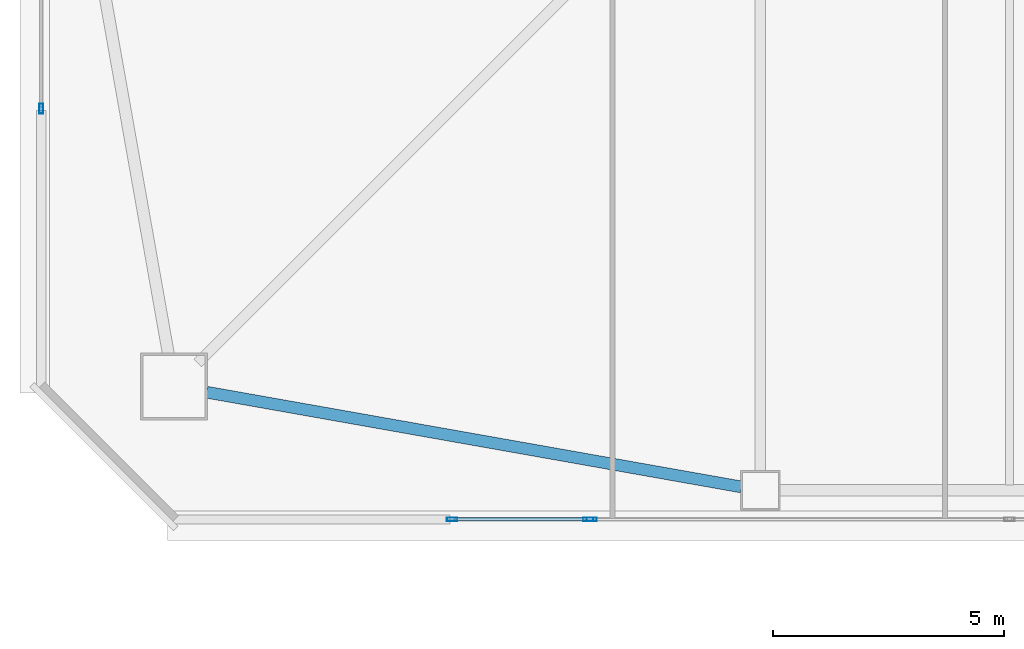
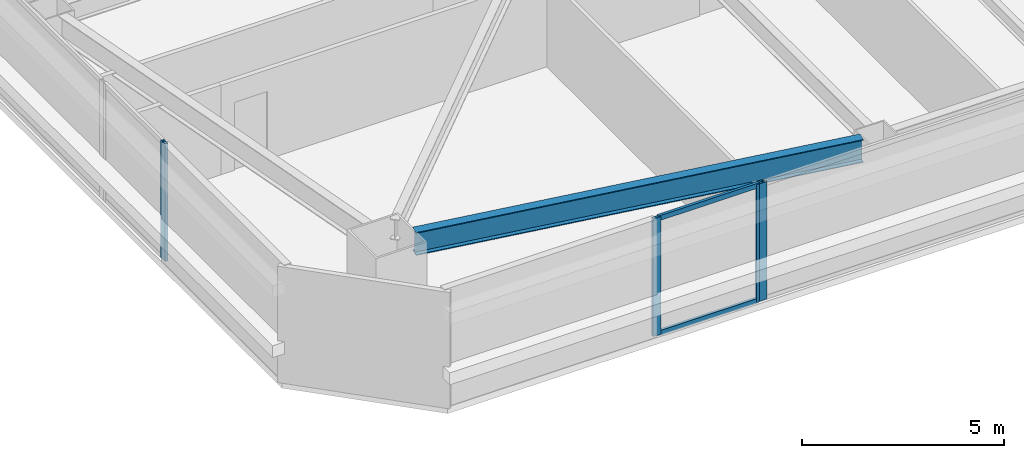
# One storey, part 3 of 44: 6 members, 1 beam, 3 elements without a shape of their own.
"""IFC4 building model written with IfcOpenShell, lengths in metres."""

import ifcopenshell
import ifcopenshell.guid

model = None  # the IFC model being written
_history = None  # IfcOwnerHistory: only IFC2X3 demands one
_inside = {}  # id of a spatial element -> (the spatial element, [elements in it])
_under = {}  # id of a project, library or spatial element -> (it, [spatial elements below it])
_declared = {}  # id of a project -> (the project, [libraries it declares])
_typed = {}  # id of a type object -> (the type object, [elements of that type])
_made_of = {}  # id of a material, layer set ... -> (it, [elements and type objects made of it])


def new_model(schema):
    """Start an empty IFC model of exactly this schema.

    Asked for "IFC4X3", IfcOpenShell would pick the latest addendum, in which some entities
    have other attributes; the version numbers below select the first issue.
    IFC2X3 requires an IfcOwnerHistory on every rooted entity: one is made here for all.
    """
    global model, _history
    if schema == "IFC4X3":
        model = ifcopenshell.file(schema_version=(4, 3, 0, 0))
    else:
        model = ifcopenshell.file(schema=schema)
    _inside.clear()
    _under.clear()
    _declared.clear()
    _typed.clear()
    _made_of.clear()
    _history = None
    if model.schema == "IFC2X3":
        org = make("IfcOrganization", Name="unknown")
        user = make(
            "IfcPersonAndOrganization",
            ThePerson=make("IfcPerson", FamilyName="unknown"),
            TheOrganization=org,
        )
        app = make(
            "IfcApplication",
            ApplicationDeveloper=org,
            Version="unknown",
            ApplicationFullName="unknown",
            ApplicationIdentifier="unknown",
        )
        _history = make(
            "IfcOwnerHistory",
            OwningUser=user,
            OwningApplication=app,
            ChangeAction="ADDED",
            CreationDate=0,
        )
    return model


def make(cls, **values):
    """One entity of the class cls with the attributes given. An attribute that is None is left unset."""
    return model.create_entity(
        cls, **{name: value for name, value in values.items() if value is not None}
    )


def rooted(cls, **values):
    """An entity with a GlobalId (a new one), such as an element, a storey or a relation."""
    return make(cls, GlobalId=ifcopenshell.guid.new(), OwnerHistory=_history, **values)


def si_unit(unit_type, name, prefix=None):
    """IfcSIUnit, for example si_unit("LENGTHUNIT", "METRE", prefix="MILLI")."""
    return make("IfcSIUnit", UnitType=unit_type, Prefix=prefix, Name=name)


def assignment(units):
    """IfcUnitAssignment: the units of a project."""
    return None if units is None else make("IfcUnitAssignment", Units=units)


def point(xyz):
    """IfcCartesianPoint."""
    return None if xyz is None else make("IfcCartesianPoint", Coordinates=xyz)


def direction(xyz):
    """IfcDirection."""
    return None if xyz is None else make("IfcDirection", DirectionRatios=xyz)


def frame(location, z_axis=None, x_axis=None):
    """IfcAxis2Placement3D, a coordinate frame: its origin and axes. An axis left out is left unset."""
    return make(
        "IfcAxis2Placement3D",
        Location=point(location),
        Axis=direction(z_axis),
        RefDirection=direction(x_axis),
    )


def frame_2d(location, x_axis=None):
    """IfcAxis2Placement2D, a coordinate frame in the plane: its origin and x axis."""
    return make(
        "IfcAxis2Placement2D", Location=point(location), RefDirection=direction(x_axis)
    )


def origin():
    """The frame at (0, 0, 0) with its axes left unset."""
    return frame((0.0, 0.0, 0.0))


def origin_2d():
    """The frame at (0, 0) in the plane with its x axis left unset."""
    return frame_2d((0.0, 0.0))


def place(relative_to, where):
    """IfcLocalPlacement: puts the frame where relative to a parent placement (None: the world)."""
    return make(
        "IfcLocalPlacement", PlacementRelTo=relative_to, RelativePlacement=where
    )


def context(
    kind, dimensions, precision=None, world=None, true_north=None, identifier=None
):
    """IfcGeometricRepresentationContext, for example the 3D "Model" context."""
    return make(
        "IfcGeometricRepresentationContext",
        ContextIdentifier=identifier,
        ContextType=kind,
        CoordinateSpaceDimension=dimensions,
        Precision=precision,
        WorldCoordinateSystem=world,
        TrueNorth=true_north,
    )


def subcontext(parent, identifier, kind, view, scale=None):
    """IfcGeometricRepresentationSubContext, for example "Body" below "Model"."""
    return make(
        "IfcGeometricRepresentationSubContext",
        ContextIdentifier=identifier,
        ContextType=kind,
        ParentContext=parent,
        TargetScale=scale,
        TargetView=view,
    )


def project(units=None, contexts=None):
    """IfcProject with its units and contexts."""
    return rooted(
        "IfcProject",
        Name="project",
        RepresentationContexts=contexts,
        UnitsInContext=assignment(units),
    )


def spatial(cls, under=None, at=None, **own):
    """A site, building, storey or space (cls), placed at a placement, below another one or the project."""
    s = rooted(cls, ObjectPlacement=at, **own)
    if under is not None:
        _under.setdefault(under.id(), (under, []))[1].append(s)
    return s


def profile(cls, at=None, kind="AREA", **sizes):
    """A parametric profile (cls). Its sizes go by their IFC names, for example OverallWidth=200.0."""
    return make(cls, ProfileType=kind, Position=at, **sizes)


def hollow_rectangle(**sizes):
    """IfcRectangleHollowProfileDef."""
    return profile("IfcRectangleHollowProfileDef", **sizes)


def i_section(**sizes):
    """IfcIShapeProfileDef."""
    return profile("IfcIShapeProfileDef", **sizes)


def extrude(swept, where, along, depth):
    """IfcExtrudedAreaSolid: the profile swept, set in the frame where, extruded along a direction by depth."""
    return make(
        "IfcExtrudedAreaSolid",
        SweptArea=swept,
        Position=where,
        ExtrudedDirection=direction(along),
        Depth=depth,
    )


def shape(context_of_items, identifier, shape_type, items):
    """IfcShapeRepresentation: the items that make up one representation, for example the "Body"."""
    return make(
        "IfcShapeRepresentation",
        ContextOfItems=context_of_items,
        RepresentationIdentifier=identifier,
        RepresentationType=shape_type,
        Items=items,
    )


def material(Name=None, Category=None):
    """IfcMaterial."""
    return make("IfcMaterial", Name=Name, Category=Category)


def material_profile(
    of_material, cross_section, Name=None, Category=None, Priority=None
):
    """IfcMaterialProfile: a cross section and its material."""
    return make(
        "IfcMaterialProfile",
        Name=Name,
        Material=of_material,
        Profile=cross_section,
        Priority=Priority,
        Category=Category,
    )


def profile_set(profiles, Name=None, composite=None):
    """IfcMaterialProfileSet."""
    return make(
        "IfcMaterialProfileSet",
        Name=Name,
        MaterialProfiles=profiles,
        CompositeProfile=composite,
    )


def made_of(thing, what):
    """Note that an element or type object is made of a material, layer set ...; save() writes the relation."""
    if what is not None:
        _made_of.setdefault(what.id(), (what, []))[1].append(thing)
    return thing


def type_object(cls, material=None, **own):
    """A type object (cls), such as IfcWallType, which elements share."""
    return made_of(rooted(cls, **own), material)


def element(
    cls,
    number,
    at=None,
    inside=None,
    cuts=None,
    type_object=None,
    material=None,
    context=None,
    identifier="Body",
    shape_type=None,
    held_by="IfcProductDefinitionShape",
    body=None,
    shapes=None,
    **own,
):
    """One element of the class cls, such as IfcWall. Its Tag is "e" and its number.

    at: its placement. inside: the storey or other place that contains it. cuts: it is an
    opening in that element (IfcRelVoidsElement). A single representation is given by context,
    identifier, shape_type and body (its items); several are given by shapes. held_by: the class
    of the entity that holds the representations. save() writes the other relations.
    """
    e = rooted(cls, Tag="e%d" % number, ObjectPlacement=at, **own)
    if body is not None:
        shapes = [shape(context, identifier, shape_type, body)]
    if shapes is not None:
        e.Representation = make(held_by, Representations=shapes)
    if inside is not None:
        _inside.setdefault(inside.id(), (inside, []))[1].append(e)
    if cuts is not None:
        rooted(
            "IfcRelVoidsElement", RelatingBuildingElement=cuts, RelatedOpeningElement=e
        )
    if type_object is not None:
        _typed.setdefault(type_object.id(), (type_object, []))[1].append(e)
    return made_of(e, material)


def aggregate(whole, parts):
    """IfcRelAggregates: a whole, such as a stair, and the parts it consists of."""
    return rooted("IfcRelAggregates", RelatingObject=whole, RelatedObjects=parts)


def save(model, path):
    """Write the relations noted so far, then the file.

    IfcRelAggregates (storeys below a building ...), IfcRelContainedInSpatialStructure (elements
    in a storey), IfcRelDefinesByType, IfcRelAssociatesMaterial and IfcRelDeclares: one each for
    every whole, place, type object, material and project.
    """
    for whole, parts in _under.values():
        aggregate(whole, parts)
    for where, things in _inside.values():
        rooted(
            "IfcRelContainedInSpatialStructure",
            RelatedElements=things,
            RelatingStructure=where,
        )
    for kind, things in _typed.values():
        rooted("IfcRelDefinesByType", RelatedObjects=things, RelatingType=kind)
    for what, things in _made_of.values():
        rooted("IfcRelAssociatesMaterial", RelatedObjects=things, RelatingMaterial=what)
    for by, libraries in _declared.values():
        rooted("IfcRelDeclares", RelatingContext=by, RelatedDefinitions=libraries)
    model.write(path)


model = new_model("IFC4")

# Units and contexts
model_context = context("Model", 3, precision=1e-05, world=origin(), true_north=direction((0.0, 1.0)))
body_context = subcontext(model_context, "Body", "Model", "MODEL_VIEW")
ifc_project = project(units=[si_unit("LENGTHUNIT", "METRE"), si_unit("AREAUNIT", "SQUARE_METRE"), si_unit("VOLUMEUNIT", "CUBIC_METRE"), si_unit("PLANEANGLEUNIT", "RADIAN"), si_unit("MASSUNIT", "GRAM", prefix="KILO")], contexts=[model_context])

# Site, building, storey
site_placement = place(None, origin())
site = spatial("IfcSite", under=ifc_project, at=site_placement, CompositionType="ELEMENT")
building_placement = place(site_placement, origin())
building = spatial("IfcBuilding", under=site, at=building_placement, Name="Tashvorn Skyway Center", CompositionType="ELEMENT")
storey_placement = place(building_placement, frame((0.0, 0.0, 74.300048828125)))
storey = spatial("IfcBuildingStorey", under=building, at=storey_placement, Name="L19", CompositionType="ELEMENT", Elevation=74.300048828125)

# Beam
ifc_material_1 = material(Name="Steel ASTM A992 Grade 50", Category="steel")
ifc_material_profile_1 = material_profile(ifc_material_1, i_section(OverallWidth=0.256103515625, OverallDepth=0.693115234375, WebThickness=0.014404296875, FlangeThickness=0.023681640625, at=origin_2d()), Name="W27X114")
ifc_profile_set_1 = profile_set([ifc_material_profile_1], Name="Steel ASTM A992 Grade 50")
beam_type = type_object("IfcBeamType", Name="BM-SPANDREL-W27X114", PredefinedType="SPANDREL", material=ifc_profile_set_1)
beam_placement = place(storey_placement, frame((24.60888671875, 13.7744140625, 3.00341796875), z_axis=(0.98466816531, -0.174437966698, 0.0), x_axis=(0.174437966698, 0.98466816531, 0.0)))
element("IfcBeam", 1, at=beam_placement, inside=storey, type_object=beam_type, Name="Tower 1 L19 Spandrel Beam 01", PredefinedType="SPANDREL", context=body_context, shape_type="SweptSolid", body=[
    extrude(i_section(OverallWidth=0.256103515625, OverallDepth=0.693115234375, WebThickness=0.014404296875, FlangeThickness=0.023681640625, at=origin_2d()), origin(), (0.0, 0.0, 1.0), 11.7578125),
])

# Curtain wall, member
ifc_material_2 = material(Name="Thermally broken bronze-anodized aluminium 6063-T6", Category="aluminium")
curtain_wall_type = type_object("IfcCurtainWallType", Name="CW-CW-Z2", PredefinedType="NOTDEFINED", material=ifc_material_2)
curtain_wall_1_placement = place(storey_placement, origin())
curtain_wall_1 = element("IfcCurtainWall", 2, at=curtain_wall_1_placement, inside=storey, type_object=curtain_wall_type, Name="Tower 1 L19 South Unitised Curtain Wall Glazing Group 2", PredefinedType="NOTDEFINED")
ifc_material_profile_2 = material_profile(ifc_material_2, hollow_rectangle(XDim=0.080078125, YDim=0.219970703125, WallThickness=0.0048828125, at=origin_2d()), Name="ALU-MULL-80x220")
ifc_profile_set_2 = profile_set([ifc_material_profile_2], Name="Thermally broken bronze-anodized aluminium 6063-T6")
member_type_1 = type_object("IfcMemberType", Name="CWM-CW-Z2", PredefinedType="MULLION", material=ifc_profile_set_2)
member_1_placement = place(storey_placement, frame((32.949951171875, 11.02001953125, 0.0), z_axis=(0.0, 0.0, 1.0), x_axis=(0.0, -1.0, 0.0)))
member_1 = element("IfcMember", 3, at=member_1_placement, type_object=member_type_1, Name="CW-Z2 mullion 3", PredefinedType="MULLION", context=body_context, shape_type="SweptSolid", body=[
    extrude(hollow_rectangle(XDim=0.080078125, YDim=0.219970703125, WallThickness=0.0048828125, at=origin_2d()), origin(), (0.0, 0.0, 1.0), 3.550048828125),
])
aggregate(curtain_wall_1, [member_1])

# Curtain wall, members
curtain_wall_2_placement = place(storey_placement, origin())
curtain_wall_2 = element("IfcCurtainWall", 4, at=curtain_wall_2_placement, inside=storey, type_object=curtain_wall_type, Name="Tower 1 L19 South Unitised Curtain Wall Glazing Group 3", PredefinedType="NOTDEFINED")
member_2_placement = place(storey_placement, frame((32.8701171875, 11.02001953125, 0.0), z_axis=(0.0, 0.0, 1.0), x_axis=(0.0, -1.0, 0.0)))
member_2 = element("IfcMember", 5, at=member_2_placement, type_object=member_type_1, Name="CW-Z2 mullion 1", PredefinedType="MULLION", context=body_context, shape_type="SweptSolid", body=[
    extrude(hollow_rectangle(XDim=0.080078125, YDim=0.219970703125, WallThickness=0.0048828125, at=origin_2d()), origin(), (0.0, 0.0, 1.0), 3.550048828125),
])
member_3_placement = place(storey_placement, frame((29.919921875, 11.02001953125, 0.0), z_axis=(0.0, 0.0, 1.0), x_axis=(0.0, -1.0, 0.0)))
member_3 = element("IfcMember", 6, at=member_3_placement, type_object=member_type_1, Name="CW-Z2 mullion 2", PredefinedType="MULLION", context=body_context, shape_type="SweptSolid", body=[
    extrude(hollow_rectangle(XDim=0.080078125, YDim=0.219970703125, WallThickness=0.0048828125, at=origin_2d()), origin(), (0.0, 0.0, 1.0), 3.550048828125),
])

# Curtain wall, member
curtain_wall_3_placement = place(storey_placement, origin())
curtain_wall_3 = element("IfcCurtainWall", 7, at=curtain_wall_3_placement, inside=storey, type_object=curtain_wall_type, Name="Tower 1 L19 West Unitised Curtain Wall Glazing Group 1", PredefinedType="NOTDEFINED")
member_4_placement = place(storey_placement, frame((21.02001953125, 19.919921875, 0.0), z_axis=(0.0, 0.0, 1.0), x_axis=(-1.0, 0.0, 0.0)))
member_4 = element("IfcMember", 8, at=member_4_placement, type_object=member_type_1, Name="CW-Z2 mullion 1", PredefinedType="MULLION", context=body_context, shape_type="SweptSolid", body=[
    extrude(hollow_rectangle(XDim=0.080078125, YDim=0.219970703125, WallThickness=0.0048828125, at=origin_2d()), origin(), (0.0, 0.0, 1.0), 3.550048828125),
])
aggregate(curtain_wall_3, [member_4])

# Member
ifc_material_profile_3 = material_profile(ifc_material_2, hollow_rectangle(XDim=0.080078125, YDim=0.14990234375, WallThickness=0.00439453125, at=origin_2d()), Name="ALU-TRAN-80x150")
ifc_profile_set_3 = profile_set([ifc_material_profile_3], Name="Thermally broken bronze-anodized aluminium 6063-T6")
member_type_2 = type_object("IfcMemberType", Name="CWT-CW-Z2", PredefinedType="USERDEFINED", material=ifc_profile_set_3)
member_5_placement = place(storey_placement, frame((32.830078125, 11.02001953125, 0.0400390625), z_axis=(-1.0, 0.0, 0.0), x_axis=(0.0, -1.0, 0.0)))
member_5 = element("IfcMember", 9, at=member_5_placement, type_object=member_type_2, Name="CW-Z2 transom 1.1", ObjectType="TRANSOM", PredefinedType="USERDEFINED", context=body_context, shape_type="SweptSolid", body=[
    extrude(hollow_rectangle(XDim=0.080078125, YDim=0.14990234375, WallThickness=0.00439453125, at=origin_2d()), origin(), (0.0, 0.0, 1.0), 2.8701171875),
])

member_6_placement = place(storey_placement, frame((32.830078125, 11.02001953125, 3.510009765625), z_axis=(-1.0, 0.0, 0.0), x_axis=(0.0, -1.0, 0.0)))
member_6 = element("IfcMember", 10, at=member_6_placement, type_object=member_type_2, Name="CW-Z2 transom 1.2", ObjectType="TRANSOM", PredefinedType="USERDEFINED", context=body_context, shape_type="SweptSolid", body=[
    extrude(hollow_rectangle(XDim=0.080078125, YDim=0.14990234375, WallThickness=0.00439453125, at=origin_2d()), origin(), (0.0, 0.0, 1.0), 2.8701171875),
])

aggregate(curtain_wall_2, [member_2, member_3, member_5, member_6])

save(model, "model.ifc")
